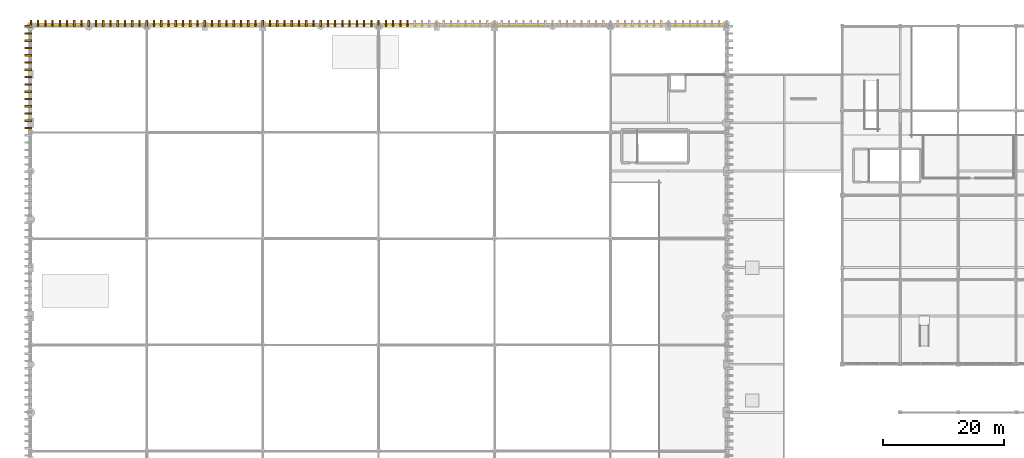
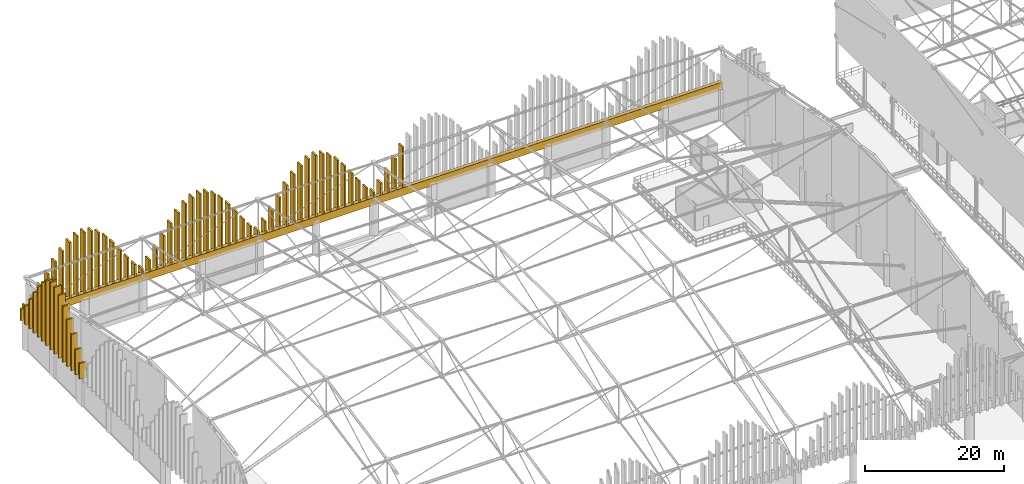
# One storey, part 191 of 193: 69 coverings.
"""IFC4 building model written with IfcOpenShell, lengths in metres."""

from ifc_helpers import new_model, si_unit, direction, frame, origin, origin_2d, place, context, subcontext, project, spatial, rectangle, extrude, material, layer, layer_set, type_object, element, save


model = new_model("IFC4")

# Units and contexts
model_context = context("Model", 3, precision=1e-05, world=origin(), true_north=direction((0.0, 1.0)))
body_context = subcontext(model_context, "Body", "Model", "MODEL_VIEW")
ifc_project = project(units=[si_unit("LENGTHUNIT", "METRE"), si_unit("AREAUNIT", "SQUARE_METRE"), si_unit("VOLUMEUNIT", "CUBIC_METRE"), si_unit("PLANEANGLEUNIT", "RADIAN"), si_unit("MASSUNIT", "GRAM", prefix="KILO")], contexts=[model_context])

# Site, building, storey
site_placement = place(None, origin())
site = spatial("IfcSite", under=ifc_project, at=site_placement, CompositionType="ELEMENT")
building_placement = place(site_placement, origin())
building = spatial("IfcBuilding", under=site, at=building_placement, Name="Danafjord Basin Convention Centre", CompositionType="ELEMENT")
storey_placement = place(building_placement, frame((0.0, 0.0, 11.39990234375)))
storey = spatial("IfcBuildingStorey", under=building, at=storey_placement, Name="L02", CompositionType="ELEMENT", Elevation=11.39990234375)

# Coverings
ifc_material = material(Name="Architectural white precast concrete C45/55", Category="concrete")
ifc_layer_1 = layer(ifc_material, 0.320068359375)
ifc_layer_set_1 = layer_set([ifc_layer_1], Name="Architectural white precast concrete C45/55")
covering_type_1 = type_object("IfcCoveringType", Name="COV-BAND-HORIZ", PredefinedType="CLADDING", material=ifc_layer_set_1)
covering_1_placement = place(storey_placement, frame((57.60009765625, 144.159912109375, 5.0), z_axis=(0.0, 0.0, 1.0), x_axis=(1.0, 0.0, 0.0)))
element("IfcCovering", 1, at=covering_1_placement, inside=storey, type_object=covering_type_1, Name="V1 N mountain-ridge fin screen structural carrier fascia", PredefinedType="CLADDING", context=body_context, shape_type="SweptSolid", body=[
    extrude(rectangle(XDim=115.60009765625, YDim=0.6201171875, at=origin_2d()), origin(), (0.0, 0.0, 1.0), 1.300048828125),
])
ifc_layer_2 = layer(ifc_material, 0.280029296875)
ifc_layer_set_2 = layer_set([ifc_layer_2], Name="Architectural white precast concrete C45/55")
covering_type_2 = type_object("IfcCoveringType", Name="COV-FIN-RIDGE", PredefinedType="CLADDING", material=ifc_layer_set_2)
covering_2_placement = place(storey_placement, frame((0.0, 144.449951171875, 5.14990234375), z_axis=(0.0, 0.0, 1.0), x_axis=(0.0, 1.0, 0.0)))
element("IfcCovering", 2, at=covering_2_placement, inside=storey, type_object=covering_type_2, Name="V1 N white vertical mountain-ridge fin 98", PredefinedType="CLADDING", context=body_context, shape_type="SweptSolid", body=[
    extrude(rectangle(XDim=1.139892578125, YDim=0.280029296875, at=origin_2d()), origin(), (0.0, 0.0, 1.0), 2.050048828125),
])
covering_3_placement = place(storey_placement, frame((1.199951171875, 144.449951171875, 5.14990234375), z_axis=(0.0, 0.0, 1.0), x_axis=(0.0, 1.0, 0.0)))
element("IfcCovering", 3, at=covering_3_placement, inside=storey, type_object=covering_type_2, Name="V1 N white vertical mountain-ridge fin 99", PredefinedType="CLADDING", context=body_context, shape_type="SweptSolid", body=[
    extrude(rectangle(XDim=1.139892578125, YDim=0.280029296875, at=origin_2d()), origin(), (0.0, 0.0, 1.0), 3.220947265625),
])
covering_4_placement = place(storey_placement, frame((2.39990234375, 144.449951171875, 5.150146484375), z_axis=(0.0, 0.0, 1.0), x_axis=(0.0, 1.0, 0.0)))
element("IfcCovering", 4, at=covering_4_placement, inside=storey, type_object=covering_type_2, Name="V1 N white vertical mountain-ridge fin 100", PredefinedType="CLADDING", context=body_context, shape_type="SweptSolid", body=[
    extrude(rectangle(XDim=1.139892578125, YDim=0.280029296875, at=origin_2d()), origin(), (0.0, 0.0, 1.0), 4.861328125),
])
covering_5_placement = place(storey_placement, frame((3.60009765625, 144.449951171875, 5.14990234375), z_axis=(0.0, 0.0, 1.0), x_axis=(0.0, 1.0, 0.0)))
element("IfcCovering", 5, at=covering_5_placement, inside=storey, type_object=covering_type_2, Name="V1 N white vertical mountain-ridge fin 101", PredefinedType="CLADDING", context=body_context, shape_type="SweptSolid", body=[
    extrude(rectangle(XDim=1.139892578125, YDim=0.280029296875, at=origin_2d()), origin(), (0.0, 0.0, 1.0), 6.614501953125),
])
covering_6_placement = place(storey_placement, frame((4.800048828125, 144.449951171875, 5.150146484375), z_axis=(0.0, 0.0, 1.0), x_axis=(0.0, 1.0, 0.0)))
element("IfcCovering", 6, at=covering_6_placement, inside=storey, type_object=covering_type_2, Name="V1 N white vertical mountain-ridge fin 102", PredefinedType="CLADDING", context=body_context, shape_type="SweptSolid", body=[
    extrude(rectangle(XDim=1.139892578125, YDim=0.280029296875, at=origin_2d()), origin(), (0.0, 0.0, 1.0), 8.29541015625),
])
covering_7_placement = place(storey_placement, frame((6.0, 144.449951171875, 5.14990234375), z_axis=(0.0, 0.0, 1.0), x_axis=(0.0, 1.0, 0.0)))
element("IfcCovering", 7, at=covering_7_placement, inside=storey, type_object=covering_type_2, Name="V1 N white vertical mountain-ridge fin 103", PredefinedType="CLADDING", context=body_context, shape_type="SweptSolid", body=[
    extrude(rectangle(XDim=1.139892578125, YDim=0.280029296875, at=origin_2d()), origin(), (0.0, 0.0, 1.0), 9.759521484375),
])
covering_8_placement = place(storey_placement, frame((7.199951171875, 144.449951171875, 5.150146484375), z_axis=(0.0, 0.0, 1.0), x_axis=(0.0, 1.0, 0.0)))
element("IfcCovering", 8, at=covering_8_placement, inside=storey, type_object=covering_type_2, Name="V1 N white vertical mountain-ridge fin 104", PredefinedType="CLADDING", context=body_context, shape_type="SweptSolid", body=[
    extrude(rectangle(XDim=1.139892578125, YDim=0.280029296875, at=origin_2d()), origin(), (0.0, 0.0, 1.0), 10.8916015625),
])
covering_9_placement = place(storey_placement, frame((8.39990234375, 144.449951171875, 5.14990234375), z_axis=(0.0, 0.0, 1.0), x_axis=(0.0, 1.0, 0.0)))
element("IfcCovering", 9, at=covering_9_placement, inside=storey, type_object=covering_type_2, Name="V1 N white vertical mountain-ridge fin 105", PredefinedType="CLADDING", context=body_context, shape_type="SweptSolid", body=[
    extrude(rectangle(XDim=1.139892578125, YDim=0.280029296875, at=origin_2d()), origin(), (0.0, 0.0, 1.0), 11.60595703125),
])
covering_10_placement = place(storey_placement, frame((9.60009765625, 144.449951171875, 5.150146484375), z_axis=(0.0, 0.0, 1.0), x_axis=(0.0, 1.0, 0.0)))
element("IfcCovering", 10, at=covering_10_placement, inside=storey, type_object=covering_type_2, Name="V1 N white vertical mountain-ridge fin 106", PredefinedType="CLADDING", context=body_context, shape_type="SweptSolid", body=[
    extrude(rectangle(XDim=1.139892578125, YDim=0.280029296875, at=origin_2d()), origin(), (0.0, 0.0, 1.0), 11.85009765625),
])
covering_11_placement = place(storey_placement, frame((10.800048828125, 144.449951171875, 5.14990234375), z_axis=(0.0, 0.0, 1.0), x_axis=(0.0, 1.0, 0.0)))
element("IfcCovering", 11, at=covering_11_placement, inside=storey, type_object=covering_type_2, Name="V1 N white vertical mountain-ridge fin 107", PredefinedType="CLADDING", context=body_context, shape_type="SweptSolid", body=[
    extrude(rectangle(XDim=1.139892578125, YDim=0.280029296875, at=origin_2d()), origin(), (0.0, 0.0, 1.0), 11.60595703125),
])
covering_12_placement = place(storey_placement, frame((12.0, 144.449951171875, 5.150146484375), z_axis=(0.0, 0.0, 1.0), x_axis=(0.0, 1.0, 0.0)))
element("IfcCovering", 12, at=covering_12_placement, inside=storey, type_object=covering_type_2, Name="V1 N white vertical mountain-ridge fin 108", PredefinedType="CLADDING", context=body_context, shape_type="SweptSolid", body=[
    extrude(rectangle(XDim=1.139892578125, YDim=0.280029296875, at=origin_2d()), origin(), (0.0, 0.0, 1.0), 10.8916015625),
])
covering_13_placement = place(storey_placement, frame((13.199951171875, 144.449951171875, 5.14990234375), z_axis=(0.0, 0.0, 1.0), x_axis=(0.0, 1.0, 0.0)))
element("IfcCovering", 13, at=covering_13_placement, inside=storey, type_object=covering_type_2, Name="V1 N white vertical mountain-ridge fin 109", PredefinedType="CLADDING", context=body_context, shape_type="SweptSolid", body=[
    extrude(rectangle(XDim=1.139892578125, YDim=0.280029296875, at=origin_2d()), origin(), (0.0, 0.0, 1.0), 9.759521484375),
])
covering_14_placement = place(storey_placement, frame((14.39990234375, 144.449951171875, 5.150146484375), z_axis=(0.0, 0.0, 1.0), x_axis=(0.0, 1.0, 0.0)))
element("IfcCovering", 14, at=covering_14_placement, inside=storey, type_object=covering_type_2, Name="V1 N white vertical mountain-ridge fin 110", PredefinedType="CLADDING", context=body_context, shape_type="SweptSolid", body=[
    extrude(rectangle(XDim=1.139892578125, YDim=0.280029296875, at=origin_2d()), origin(), (0.0, 0.0, 1.0), 8.29541015625),
])
covering_15_placement = place(storey_placement, frame((15.60009765625, 144.449951171875, 5.14990234375), z_axis=(0.0, 0.0, 1.0), x_axis=(0.0, 1.0, 0.0)))
element("IfcCovering", 15, at=covering_15_placement, inside=storey, type_object=covering_type_2, Name="V1 N white vertical mountain-ridge fin 111", PredefinedType="CLADDING", context=body_context, shape_type="SweptSolid", body=[
    extrude(rectangle(XDim=1.139892578125, YDim=0.280029296875, at=origin_2d()), origin(), (0.0, 0.0, 1.0), 6.614501953125),
])
covering_16_placement = place(storey_placement, frame((16.800048828125, 144.449951171875, 5.150146484375), z_axis=(0.0, 0.0, 1.0), x_axis=(0.0, 1.0, 0.0)))
element("IfcCovering", 16, at=covering_16_placement, inside=storey, type_object=covering_type_2, Name="V1 N white vertical mountain-ridge fin 112", PredefinedType="CLADDING", context=body_context, shape_type="SweptSolid", body=[
    extrude(rectangle(XDim=1.139892578125, YDim=0.280029296875, at=origin_2d()), origin(), (0.0, 0.0, 1.0), 4.861328125),
])
covering_17_placement = place(storey_placement, frame((18.0, 144.449951171875, 5.14990234375), z_axis=(0.0, 0.0, 1.0), x_axis=(0.0, 1.0, 0.0)))
element("IfcCovering", 17, at=covering_17_placement, inside=storey, type_object=covering_type_2, Name="V1 N white vertical mountain-ridge fin 113", PredefinedType="CLADDING", context=body_context, shape_type="SweptSolid", body=[
    extrude(rectangle(XDim=1.139892578125, YDim=0.280029296875, at=origin_2d()), origin(), (0.0, 0.0, 1.0), 3.220947265625),
])
covering_18_placement = place(storey_placement, frame((19.199951171875, 144.449951171875, 5.14990234375), z_axis=(0.0, 0.0, 1.0), x_axis=(0.0, 1.0, 0.0)))
element("IfcCovering", 18, at=covering_18_placement, inside=storey, type_object=covering_type_2, Name="V1 N white vertical mountain-ridge fin 114", PredefinedType="CLADDING", context=body_context, shape_type="SweptSolid", body=[
    extrude(rectangle(XDim=1.139892578125, YDim=0.280029296875, at=origin_2d()), origin(), (0.0, 0.0, 1.0), 2.050048828125),
])
covering_19_placement = place(storey_placement, frame((20.39990234375, 144.449951171875, 5.14990234375), z_axis=(0.0, 0.0, 1.0), x_axis=(0.0, 1.0, 0.0)))
element("IfcCovering", 19, at=covering_19_placement, inside=storey, type_object=covering_type_2, Name="V1 N white vertical mountain-ridge fin 115", PredefinedType="CLADDING", context=body_context, shape_type="SweptSolid", body=[
    extrude(rectangle(XDim=1.139892578125, YDim=0.280029296875, at=origin_2d()), origin(), (0.0, 0.0, 1.0), 3.220947265625),
])
covering_20_placement = place(storey_placement, frame((21.60009765625, 144.449951171875, 5.150146484375), z_axis=(0.0, 0.0, 1.0), x_axis=(0.0, 1.0, 0.0)))
element("IfcCovering", 20, at=covering_20_placement, inside=storey, type_object=covering_type_2, Name="V1 N white vertical mountain-ridge fin 116", PredefinedType="CLADDING", context=body_context, shape_type="SweptSolid", body=[
    extrude(rectangle(XDim=1.139892578125, YDim=0.280029296875, at=origin_2d()), origin(), (0.0, 0.0, 1.0), 4.861328125),
])
covering_21_placement = place(storey_placement, frame((22.800048828125, 144.449951171875, 5.14990234375), z_axis=(0.0, 0.0, 1.0), x_axis=(0.0, 1.0, 0.0)))
element("IfcCovering", 21, at=covering_21_placement, inside=storey, type_object=covering_type_2, Name="V1 N white vertical mountain-ridge fin 117", PredefinedType="CLADDING", context=body_context, shape_type="SweptSolid", body=[
    extrude(rectangle(XDim=1.139892578125, YDim=0.280029296875, at=origin_2d()), origin(), (0.0, 0.0, 1.0), 6.614501953125),
])
covering_22_placement = place(storey_placement, frame((24.0, 144.449951171875, 5.150146484375), z_axis=(0.0, 0.0, 1.0), x_axis=(0.0, 1.0, 0.0)))
element("IfcCovering", 22, at=covering_22_placement, inside=storey, type_object=covering_type_2, Name="V1 N white vertical mountain-ridge fin 118", PredefinedType="CLADDING", context=body_context, shape_type="SweptSolid", body=[
    extrude(rectangle(XDim=1.139892578125, YDim=0.280029296875, at=origin_2d()), origin(), (0.0, 0.0, 1.0), 8.29541015625),
])
covering_23_placement = place(storey_placement, frame((25.199951171875, 144.449951171875, 5.14990234375), z_axis=(0.0, 0.0, 1.0), x_axis=(0.0, 1.0, 0.0)))
element("IfcCovering", 23, at=covering_23_placement, inside=storey, type_object=covering_type_2, Name="V1 N white vertical mountain-ridge fin 119", PredefinedType="CLADDING", context=body_context, shape_type="SweptSolid", body=[
    extrude(rectangle(XDim=1.139892578125, YDim=0.280029296875, at=origin_2d()), origin(), (0.0, 0.0, 1.0), 9.759521484375),
])
covering_24_placement = place(storey_placement, frame((26.39990234375, 144.449951171875, 5.150146484375), z_axis=(0.0, 0.0, 1.0), x_axis=(0.0, 1.0, 0.0)))
element("IfcCovering", 24, at=covering_24_placement, inside=storey, type_object=covering_type_2, Name="V1 N white vertical mountain-ridge fin 120", PredefinedType="CLADDING", context=body_context, shape_type="SweptSolid", body=[
    extrude(rectangle(XDim=1.139892578125, YDim=0.280029296875, at=origin_2d()), origin(), (0.0, 0.0, 1.0), 10.8916015625),
])
covering_25_placement = place(storey_placement, frame((27.60009765625, 144.449951171875, 5.14990234375), z_axis=(0.0, 0.0, 1.0), x_axis=(0.0, 1.0, 0.0)))
element("IfcCovering", 25, at=covering_25_placement, inside=storey, type_object=covering_type_2, Name="V1 N white vertical mountain-ridge fin 121", PredefinedType="CLADDING", context=body_context, shape_type="SweptSolid", body=[
    extrude(rectangle(XDim=1.139892578125, YDim=0.280029296875, at=origin_2d()), origin(), (0.0, 0.0, 1.0), 11.60595703125),
])
covering_26_placement = place(storey_placement, frame((28.800048828125, 144.449951171875, 5.150146484375), z_axis=(0.0, 0.0, 1.0), x_axis=(0.0, 1.0, 0.0)))
element("IfcCovering", 26, at=covering_26_placement, inside=storey, type_object=covering_type_2, Name="V1 N white vertical mountain-ridge fin 122", PredefinedType="CLADDING", context=body_context, shape_type="SweptSolid", body=[
    extrude(rectangle(XDim=1.139892578125, YDim=0.280029296875, at=origin_2d()), origin(), (0.0, 0.0, 1.0), 11.85009765625),
])
covering_27_placement = place(storey_placement, frame((30.0, 144.449951171875, 5.14990234375), z_axis=(0.0, 0.0, 1.0), x_axis=(0.0, 1.0, 0.0)))
element("IfcCovering", 27, at=covering_27_placement, inside=storey, type_object=covering_type_2, Name="V1 N white vertical mountain-ridge fin 123", PredefinedType="CLADDING", context=body_context, shape_type="SweptSolid", body=[
    extrude(rectangle(XDim=1.139892578125, YDim=0.280029296875, at=origin_2d()), origin(), (0.0, 0.0, 1.0), 11.60595703125),
])
covering_28_placement = place(storey_placement, frame((31.199951171875, 144.449951171875, 5.150146484375), z_axis=(0.0, 0.0, 1.0), x_axis=(0.0, 1.0, 0.0)))
element("IfcCovering", 28, at=covering_28_placement, inside=storey, type_object=covering_type_2, Name="V1 N white vertical mountain-ridge fin 124", PredefinedType="CLADDING", context=body_context, shape_type="SweptSolid", body=[
    extrude(rectangle(XDim=1.139892578125, YDim=0.280029296875, at=origin_2d()), origin(), (0.0, 0.0, 1.0), 10.8916015625),
])
covering_29_placement = place(storey_placement, frame((32.39990234375, 144.449951171875, 5.14990234375), z_axis=(0.0, 0.0, 1.0), x_axis=(0.0, 1.0, 0.0)))
element("IfcCovering", 29, at=covering_29_placement, inside=storey, type_object=covering_type_2, Name="V1 N white vertical mountain-ridge fin 125", PredefinedType="CLADDING", context=body_context, shape_type="SweptSolid", body=[
    extrude(rectangle(XDim=1.139892578125, YDim=0.280029296875, at=origin_2d()), origin(), (0.0, 0.0, 1.0), 9.759521484375),
])
covering_30_placement = place(storey_placement, frame((33.60009765625, 144.449951171875, 5.150146484375), z_axis=(0.0, 0.0, 1.0), x_axis=(0.0, 1.0, 0.0)))
element("IfcCovering", 30, at=covering_30_placement, inside=storey, type_object=covering_type_2, Name="V1 N white vertical mountain-ridge fin 126", PredefinedType="CLADDING", context=body_context, shape_type="SweptSolid", body=[
    extrude(rectangle(XDim=1.139892578125, YDim=0.280029296875, at=origin_2d()), origin(), (0.0, 0.0, 1.0), 8.29541015625),
])
covering_31_placement = place(storey_placement, frame((34.800048828125, 144.449951171875, 5.14990234375), z_axis=(0.0, 0.0, 1.0), x_axis=(0.0, 1.0, 0.0)))
element("IfcCovering", 31, at=covering_31_placement, inside=storey, type_object=covering_type_2, Name="V1 N white vertical mountain-ridge fin 127", PredefinedType="CLADDING", context=body_context, shape_type="SweptSolid", body=[
    extrude(rectangle(XDim=1.139892578125, YDim=0.280029296875, at=origin_2d()), origin(), (0.0, 0.0, 1.0), 6.614501953125),
])
covering_32_placement = place(storey_placement, frame((36.0, 144.449951171875, 5.150146484375), z_axis=(0.0, 0.0, 1.0), x_axis=(0.0, 1.0, 0.0)))
element("IfcCovering", 32, at=covering_32_placement, inside=storey, type_object=covering_type_2, Name="V1 N white vertical mountain-ridge fin 128", PredefinedType="CLADDING", context=body_context, shape_type="SweptSolid", body=[
    extrude(rectangle(XDim=1.139892578125, YDim=0.280029296875, at=origin_2d()), origin(), (0.0, 0.0, 1.0), 4.861328125),
])
covering_33_placement = place(storey_placement, frame((37.199951171875, 144.449951171875, 5.14990234375), z_axis=(0.0, 0.0, 1.0), x_axis=(0.0, 1.0, 0.0)))
element("IfcCovering", 33, at=covering_33_placement, inside=storey, type_object=covering_type_2, Name="V1 N white vertical mountain-ridge fin 129", PredefinedType="CLADDING", context=body_context, shape_type="SweptSolid", body=[
    extrude(rectangle(XDim=1.139892578125, YDim=0.280029296875, at=origin_2d()), origin(), (0.0, 0.0, 1.0), 3.220947265625),
])
covering_34_placement = place(storey_placement, frame((38.39990234375, 144.449951171875, 5.14990234375), z_axis=(0.0, 0.0, 1.0), x_axis=(0.0, 1.0, 0.0)))
element("IfcCovering", 34, at=covering_34_placement, inside=storey, type_object=covering_type_2, Name="V1 N white vertical mountain-ridge fin 130", PredefinedType="CLADDING", context=body_context, shape_type="SweptSolid", body=[
    extrude(rectangle(XDim=1.139892578125, YDim=0.280029296875, at=origin_2d()), origin(), (0.0, 0.0, 1.0), 2.050048828125),
])
covering_35_placement = place(storey_placement, frame((39.60009765625, 144.449951171875, 5.14990234375), z_axis=(0.0, 0.0, 1.0), x_axis=(0.0, 1.0, 0.0)))
element("IfcCovering", 35, at=covering_35_placement, inside=storey, type_object=covering_type_2, Name="V1 N white vertical mountain-ridge fin 131", PredefinedType="CLADDING", context=body_context, shape_type="SweptSolid", body=[
    extrude(rectangle(XDim=1.139892578125, YDim=0.280029296875, at=origin_2d()), origin(), (0.0, 0.0, 1.0), 3.220947265625),
])
covering_36_placement = place(storey_placement, frame((40.800048828125, 144.449951171875, 5.150146484375), z_axis=(0.0, 0.0, 1.0), x_axis=(0.0, 1.0, 0.0)))
element("IfcCovering", 36, at=covering_36_placement, inside=storey, type_object=covering_type_2, Name="V1 N white vertical mountain-ridge fin 132", PredefinedType="CLADDING", context=body_context, shape_type="SweptSolid", body=[
    extrude(rectangle(XDim=1.139892578125, YDim=0.280029296875, at=origin_2d()), origin(), (0.0, 0.0, 1.0), 4.861328125),
])
covering_37_placement = place(storey_placement, frame((42.0, 144.449951171875, 5.14990234375), z_axis=(0.0, 0.0, 1.0), x_axis=(0.0, 1.0, 0.0)))
element("IfcCovering", 37, at=covering_37_placement, inside=storey, type_object=covering_type_2, Name="V1 N white vertical mountain-ridge fin 133", PredefinedType="CLADDING", context=body_context, shape_type="SweptSolid", body=[
    extrude(rectangle(XDim=1.139892578125, YDim=0.280029296875, at=origin_2d()), origin(), (0.0, 0.0, 1.0), 6.614501953125),
])
covering_38_placement = place(storey_placement, frame((43.199951171875, 144.449951171875, 5.150146484375), z_axis=(0.0, 0.0, 1.0), x_axis=(0.0, 1.0, 0.0)))
element("IfcCovering", 38, at=covering_38_placement, inside=storey, type_object=covering_type_2, Name="V1 N white vertical mountain-ridge fin 134", PredefinedType="CLADDING", context=body_context, shape_type="SweptSolid", body=[
    extrude(rectangle(XDim=1.139892578125, YDim=0.280029296875, at=origin_2d()), origin(), (0.0, 0.0, 1.0), 8.29541015625),
])
covering_39_placement = place(storey_placement, frame((44.39990234375, 144.449951171875, 5.14990234375), z_axis=(0.0, 0.0, 1.0), x_axis=(0.0, 1.0, 0.0)))
element("IfcCovering", 39, at=covering_39_placement, inside=storey, type_object=covering_type_2, Name="V1 N white vertical mountain-ridge fin 135", PredefinedType="CLADDING", context=body_context, shape_type="SweptSolid", body=[
    extrude(rectangle(XDim=1.139892578125, YDim=0.280029296875, at=origin_2d()), origin(), (0.0, 0.0, 1.0), 9.759521484375),
])
covering_40_placement = place(storey_placement, frame((45.60009765625, 144.449951171875, 5.150146484375), z_axis=(0.0, 0.0, 1.0), x_axis=(0.0, 1.0, 0.0)))
element("IfcCovering", 40, at=covering_40_placement, inside=storey, type_object=covering_type_2, Name="V1 N white vertical mountain-ridge fin 136", PredefinedType="CLADDING", context=body_context, shape_type="SweptSolid", body=[
    extrude(rectangle(XDim=1.139892578125, YDim=0.280029296875, at=origin_2d()), origin(), (0.0, 0.0, 1.0), 10.8916015625),
])
covering_41_placement = place(storey_placement, frame((46.800048828125, 144.449951171875, 5.14990234375), z_axis=(0.0, 0.0, 1.0), x_axis=(0.0, 1.0, 0.0)))
element("IfcCovering", 41, at=covering_41_placement, inside=storey, type_object=covering_type_2, Name="V1 N white vertical mountain-ridge fin 137", PredefinedType="CLADDING", context=body_context, shape_type="SweptSolid", body=[
    extrude(rectangle(XDim=1.139892578125, YDim=0.280029296875, at=origin_2d()), origin(), (0.0, 0.0, 1.0), 11.60595703125),
])
covering_42_placement = place(storey_placement, frame((48.0, 144.449951171875, 5.150146484375), z_axis=(0.0, 0.0, 1.0), x_axis=(0.0, 1.0, 0.0)))
element("IfcCovering", 42, at=covering_42_placement, inside=storey, type_object=covering_type_2, Name="V1 N white vertical mountain-ridge fin 138", PredefinedType="CLADDING", context=body_context, shape_type="SweptSolid", body=[
    extrude(rectangle(XDim=1.139892578125, YDim=0.280029296875, at=origin_2d()), origin(), (0.0, 0.0, 1.0), 11.85009765625),
])
covering_43_placement = place(storey_placement, frame((49.199951171875, 144.449951171875, 5.14990234375), z_axis=(0.0, 0.0, 1.0), x_axis=(0.0, 1.0, 0.0)))
element("IfcCovering", 43, at=covering_43_placement, inside=storey, type_object=covering_type_2, Name="V1 N white vertical mountain-ridge fin 139", PredefinedType="CLADDING", context=body_context, shape_type="SweptSolid", body=[
    extrude(rectangle(XDim=1.139892578125, YDim=0.280029296875, at=origin_2d()), origin(), (0.0, 0.0, 1.0), 11.60595703125),
])
covering_44_placement = place(storey_placement, frame((50.39990234375, 144.449951171875, 5.150146484375), z_axis=(0.0, 0.0, 1.0), x_axis=(0.0, 1.0, 0.0)))
element("IfcCovering", 44, at=covering_44_placement, inside=storey, type_object=covering_type_2, Name="V1 N white vertical mountain-ridge fin 140", PredefinedType="CLADDING", context=body_context, shape_type="SweptSolid", body=[
    extrude(rectangle(XDim=1.139892578125, YDim=0.280029296875, at=origin_2d()), origin(), (0.0, 0.0, 1.0), 10.8916015625),
])
covering_45_placement = place(storey_placement, frame((51.60009765625, 144.449951171875, 5.14990234375), z_axis=(0.0, 0.0, 1.0), x_axis=(0.0, 1.0, 0.0)))
element("IfcCovering", 45, at=covering_45_placement, inside=storey, type_object=covering_type_2, Name="V1 N white vertical mountain-ridge fin 141", PredefinedType="CLADDING", context=body_context, shape_type="SweptSolid", body=[
    extrude(rectangle(XDim=1.139892578125, YDim=0.280029296875, at=origin_2d()), origin(), (0.0, 0.0, 1.0), 9.759521484375),
])
covering_46_placement = place(storey_placement, frame((52.800048828125, 144.449951171875, 5.150146484375), z_axis=(0.0, 0.0, 1.0), x_axis=(0.0, 1.0, 0.0)))
element("IfcCovering", 46, at=covering_46_placement, inside=storey, type_object=covering_type_2, Name="V1 N white vertical mountain-ridge fin 142", PredefinedType="CLADDING", context=body_context, shape_type="SweptSolid", body=[
    extrude(rectangle(XDim=1.139892578125, YDim=0.280029296875, at=origin_2d()), origin(), (0.0, 0.0, 1.0), 8.29541015625),
])
covering_47_placement = place(storey_placement, frame((54.0, 144.449951171875, 5.14990234375), z_axis=(0.0, 0.0, 1.0), x_axis=(0.0, 1.0, 0.0)))
element("IfcCovering", 47, at=covering_47_placement, inside=storey, type_object=covering_type_2, Name="V1 N white vertical mountain-ridge fin 143", PredefinedType="CLADDING", context=body_context, shape_type="SweptSolid", body=[
    extrude(rectangle(XDim=1.139892578125, YDim=0.280029296875, at=origin_2d()), origin(), (0.0, 0.0, 1.0), 6.614501953125),
])
covering_48_placement = place(storey_placement, frame((55.199951171875, 144.449951171875, 5.150146484375), z_axis=(0.0, 0.0, 1.0), x_axis=(0.0, 1.0, 0.0)))
element("IfcCovering", 48, at=covering_48_placement, inside=storey, type_object=covering_type_2, Name="V1 N white vertical mountain-ridge fin 144", PredefinedType="CLADDING", context=body_context, shape_type="SweptSolid", body=[
    extrude(rectangle(XDim=1.139892578125, YDim=0.280029296875, at=origin_2d()), origin(), (0.0, 0.0, 1.0), 4.861328125),
])
covering_49_placement = place(storey_placement, frame((56.39990234375, 144.449951171875, 5.14990234375), z_axis=(0.0, 0.0, 1.0), x_axis=(0.0, 1.0, 0.0)))
element("IfcCovering", 49, at=covering_49_placement, inside=storey, type_object=covering_type_2, Name="V1 N white vertical mountain-ridge fin 145", PredefinedType="CLADDING", context=body_context, shape_type="SweptSolid", body=[
    extrude(rectangle(XDim=1.139892578125, YDim=0.280029296875, at=origin_2d()), origin(), (0.0, 0.0, 1.0), 3.220947265625),
])
covering_50_placement = place(storey_placement, frame((57.60009765625, 144.449951171875, 5.14990234375), z_axis=(0.0, 0.0, 1.0), x_axis=(0.0, 1.0, 0.0)))
element("IfcCovering", 50, at=covering_50_placement, inside=storey, type_object=covering_type_2, Name="V1 N white vertical mountain-ridge fin 146", PredefinedType="CLADDING", context=body_context, shape_type="SweptSolid", body=[
    extrude(rectangle(XDim=1.139892578125, YDim=0.280029296875, at=origin_2d()), origin(), (0.0, 0.0, 1.0), 2.050048828125),
])
covering_51_placement = place(storey_placement, frame((58.800048828125, 144.449951171875, 5.14990234375), z_axis=(0.0, 0.0, 1.0), x_axis=(0.0, 1.0, 0.0)))
element("IfcCovering", 51, at=covering_51_placement, inside=storey, type_object=covering_type_2, Name="V1 N white vertical mountain-ridge fin 147", PredefinedType="CLADDING", context=body_context, shape_type="SweptSolid", body=[
    extrude(rectangle(XDim=1.139892578125, YDim=0.280029296875, at=origin_2d()), origin(), (0.0, 0.0, 1.0), 3.220947265625),
])
covering_52_placement = place(storey_placement, frame((60.0, 144.449951171875, 5.150146484375), z_axis=(0.0, 0.0, 1.0), x_axis=(0.0, 1.0, 0.0)))
element("IfcCovering", 52, at=covering_52_placement, inside=storey, type_object=covering_type_2, Name="V1 N white vertical mountain-ridge fin 148", PredefinedType="CLADDING", context=body_context, shape_type="SweptSolid", body=[
    extrude(rectangle(XDim=1.139892578125, YDim=0.280029296875, at=origin_2d()), origin(), (0.0, 0.0, 1.0), 4.861328125),
])
covering_53_placement = place(storey_placement, frame((61.199951171875, 144.449951171875, 5.14990234375), z_axis=(0.0, 0.0, 1.0), x_axis=(0.0, 1.0, 0.0)))
element("IfcCovering", 53, at=covering_53_placement, inside=storey, type_object=covering_type_2, Name="V1 N white vertical mountain-ridge fin 149", PredefinedType="CLADDING", context=body_context, shape_type="SweptSolid", body=[
    extrude(rectangle(XDim=1.139892578125, YDim=0.280029296875, at=origin_2d()), origin(), (0.0, 0.0, 1.0), 6.614501953125),
])
covering_54_placement = place(storey_placement, frame((62.39990234375, 144.449951171875, 5.150146484375), z_axis=(0.0, 0.0, 1.0), x_axis=(0.0, 1.0, 0.0)))
element("IfcCovering", 54, at=covering_54_placement, inside=storey, type_object=covering_type_2, Name="V1 N white vertical mountain-ridge fin 150", PredefinedType="CLADDING", context=body_context, shape_type="SweptSolid", body=[
    extrude(rectangle(XDim=1.139892578125, YDim=0.280029296875, at=origin_2d()), origin(), (0.0, 0.0, 1.0), 8.29541015625),
])
covering_55_placement = place(storey_placement, frame((-0.449951171875, 127.123291015625, 5.14990234375), z_axis=(0.0, 0.0, 1.0), x_axis=(1.0, 0.0, 0.0)))
element("IfcCovering", 55, at=covering_55_placement, inside=storey, type_object=covering_type_2, Name="V1 W white vertical mountain-ridge fin 254", PredefinedType="CLADDING", context=body_context, shape_type="SweptSolid", body=[
    extrude(rectangle(XDim=1.139892578125, YDim=0.280029296875, at=origin_2d()), origin(), (0.0, 0.0, 1.0), 2.732177734375),
])
covering_56_placement = place(storey_placement, frame((-0.449951171875, 128.328857421875, 5.150146484375), z_axis=(0.0, 0.0, 1.0), x_axis=(1.0, 0.0, 0.0)))
element("IfcCovering", 56, at=covering_56_placement, inside=storey, type_object=covering_type_2, Name="V1 W white vertical mountain-ridge fin 255", PredefinedType="CLADDING", context=body_context, shape_type="SweptSolid", body=[
    extrude(rectangle(XDim=1.139892578125, YDim=0.280029296875, at=origin_2d()), origin(), (0.0, 0.0, 1.0), 4.43798828125),
])
covering_57_placement = place(storey_placement, frame((-0.449951171875, 129.5341796875, 5.150390625), z_axis=(0.0, 0.0, 1.0), x_axis=(1.0, 0.0, 0.0)))
element("IfcCovering", 57, at=covering_57_placement, inside=storey, type_object=covering_type_2, Name="V1 W white vertical mountain-ridge fin 256", PredefinedType="CLADDING", context=body_context, shape_type="SweptSolid", body=[
    extrude(rectangle(XDim=1.139892578125, YDim=0.280029296875, at=origin_2d()), origin(), (0.0, 0.0, 1.0), 6.350830078125),
])
covering_58_placement = place(storey_placement, frame((-0.449951171875, 130.73974609375, 5.150146484375), z_axis=(0.0, 0.0, 1.0), x_axis=(1.0, 0.0, 0.0)))
element("IfcCovering", 58, at=covering_58_placement, inside=storey, type_object=covering_type_2, Name="V1 W white vertical mountain-ridge fin 257", PredefinedType="CLADDING", context=body_context, shape_type="SweptSolid", body=[
    extrude(rectangle(XDim=1.139892578125, YDim=0.280029296875, at=origin_2d()), origin(), (0.0, 0.0, 1.0), 8.20751953125),
])
covering_59_placement = place(storey_placement, frame((-0.449951171875, 131.9453125, 5.14990234375), z_axis=(0.0, 0.0, 1.0), x_axis=(1.0, 0.0, 0.0)))
element("IfcCovering", 59, at=covering_59_placement, inside=storey, type_object=covering_type_2, Name="V1 W white vertical mountain-ridge fin 258", PredefinedType="CLADDING", context=body_context, shape_type="SweptSolid", body=[
    extrude(rectangle(XDim=1.139892578125, YDim=0.280029296875, at=origin_2d()), origin(), (0.0, 0.0, 1.0), 9.813232421875),
])
covering_60_placement = place(storey_placement, frame((-0.449951171875, 133.150634765625, 5.150146484375), z_axis=(0.0, 0.0, 1.0), x_axis=(1.0, 0.0, 0.0)))
element("IfcCovering", 60, at=covering_60_placement, inside=storey, type_object=covering_type_2, Name="V1 W white vertical mountain-ridge fin 259", PredefinedType="CLADDING", context=body_context, shape_type="SweptSolid", body=[
    extrude(rectangle(XDim=1.139892578125, YDim=0.280029296875, at=origin_2d()), origin(), (0.0, 0.0, 1.0), 11.015625),
])
covering_61_placement = place(storey_placement, frame((-0.449951171875, 134.356201171875, 5.150146484375), z_axis=(0.0, 0.0, 1.0), x_axis=(1.0, 0.0, 0.0)))
element("IfcCovering", 61, at=covering_61_placement, inside=storey, type_object=covering_type_2, Name="V1 W white vertical mountain-ridge fin 260", PredefinedType="CLADDING", context=body_context, shape_type="SweptSolid", body=[
    extrude(rectangle(XDim=1.139892578125, YDim=0.280029296875, at=origin_2d()), origin(), (0.0, 0.0, 1.0), 11.7060546875),
])
covering_62_placement = place(storey_placement, frame((-0.449951171875, 135.5615234375, 5.150390625), z_axis=(0.0, 0.0, 1.0), x_axis=(1.0, 0.0, 0.0)))
element("IfcCovering", 62, at=covering_62_placement, inside=storey, type_object=covering_type_2, Name="V1 W white vertical mountain-ridge fin 261", PredefinedType="CLADDING", context=body_context, shape_type="SweptSolid", body=[
    extrude(rectangle(XDim=1.139892578125, YDim=0.280029296875, at=origin_2d()), origin(), (0.0, 0.0, 1.0), 11.823486328125),
])
covering_63_placement = place(storey_placement, frame((-0.449951171875, 136.76708984375, 5.150390625), z_axis=(0.0, 0.0, 1.0), x_axis=(1.0, 0.0, 0.0)))
element("IfcCovering", 63, at=covering_63_placement, inside=storey, type_object=covering_type_2, Name="V1 W white vertical mountain-ridge fin 262", PredefinedType="CLADDING", context=body_context, shape_type="SweptSolid", body=[
    extrude(rectangle(XDim=1.139892578125, YDim=0.280029296875, at=origin_2d()), origin(), (0.0, 0.0, 1.0), 11.357666015625),
])
covering_64_placement = place(storey_placement, frame((-0.449951171875, 137.97265625, 5.150146484375), z_axis=(0.0, 0.0, 1.0), x_axis=(1.0, 0.0, 0.0)))
element("IfcCovering", 64, at=covering_64_placement, inside=storey, type_object=covering_type_2, Name="V1 W white vertical mountain-ridge fin 263", PredefinedType="CLADDING", context=body_context, shape_type="SweptSolid", body=[
    extrude(rectangle(XDim=1.139892578125, YDim=0.280029296875, at=origin_2d()), origin(), (0.0, 0.0, 1.0), 10.349609375),
])
covering_65_placement = place(storey_placement, frame((-0.449951171875, 139.177978515625, 5.14990234375), z_axis=(0.0, 0.0, 1.0), x_axis=(1.0, 0.0, 0.0)))
element("IfcCovering", 65, at=covering_65_placement, inside=storey, type_object=covering_type_2, Name="V1 W white vertical mountain-ridge fin 264", PredefinedType="CLADDING", context=body_context, shape_type="SweptSolid", body=[
    extrude(rectangle(XDim=1.139892578125, YDim=0.280029296875, at=origin_2d()), origin(), (0.0, 0.0, 1.0), 8.889404296875),
])
covering_66_placement = place(storey_placement, frame((-0.449951171875, 140.383544921875, 5.150146484375), z_axis=(0.0, 0.0, 1.0), x_axis=(1.0, 0.0, 0.0)))
element("IfcCovering", 66, at=covering_66_placement, inside=storey, type_object=covering_type_2, Name="V1 W white vertical mountain-ridge fin 265", PredefinedType="CLADDING", context=body_context, shape_type="SweptSolid", body=[
    extrude(rectangle(XDim=1.139892578125, YDim=0.280029296875, at=origin_2d()), origin(), (0.0, 0.0, 1.0), 7.1123046875),
])
covering_67_placement = place(storey_placement, frame((-0.449951171875, 141.589111328125, 5.150146484375), z_axis=(0.0, 0.0, 1.0), x_axis=(1.0, 0.0, 0.0)))
element("IfcCovering", 67, at=covering_67_placement, inside=storey, type_object=covering_type_2, Name="V1 W white vertical mountain-ridge fin 266", PredefinedType="CLADDING", context=body_context, shape_type="SweptSolid", body=[
    extrude(rectangle(XDim=1.139892578125, YDim=0.280029296875, at=origin_2d()), origin(), (0.0, 0.0, 1.0), 5.1953125),
])
covering_68_placement = place(storey_placement, frame((-0.449951171875, 142.79443359375, 5.150146484375), z_axis=(0.0, 0.0, 1.0), x_axis=(1.0, 0.0, 0.0)))
element("IfcCovering", 68, at=covering_68_placement, inside=storey, type_object=covering_type_2, Name="V1 W white vertical mountain-ridge fin 267", PredefinedType="CLADDING", context=body_context, shape_type="SweptSolid", body=[
    extrude(rectangle(XDim=1.139892578125, YDim=0.280029296875, at=origin_2d()), origin(), (0.0, 0.0, 1.0), 3.36669921875),
])
covering_69_placement = place(storey_placement, frame((-0.449951171875, 144.0, 5.14990234375), z_axis=(0.0, 0.0, 1.0), x_axis=(1.0, 0.0, 0.0)))
element("IfcCovering", 69, at=covering_69_placement, inside=storey, type_object=covering_type_2, Name="V1 W white vertical mountain-ridge fin 268", PredefinedType="CLADDING", context=body_context, shape_type="SweptSolid", body=[
    extrude(rectangle(XDim=1.139892578125, YDim=0.280029296875, at=origin_2d()), origin(), (0.0, 0.0, 1.0), 2.050048828125),
])

save(model, "model.ifc")
